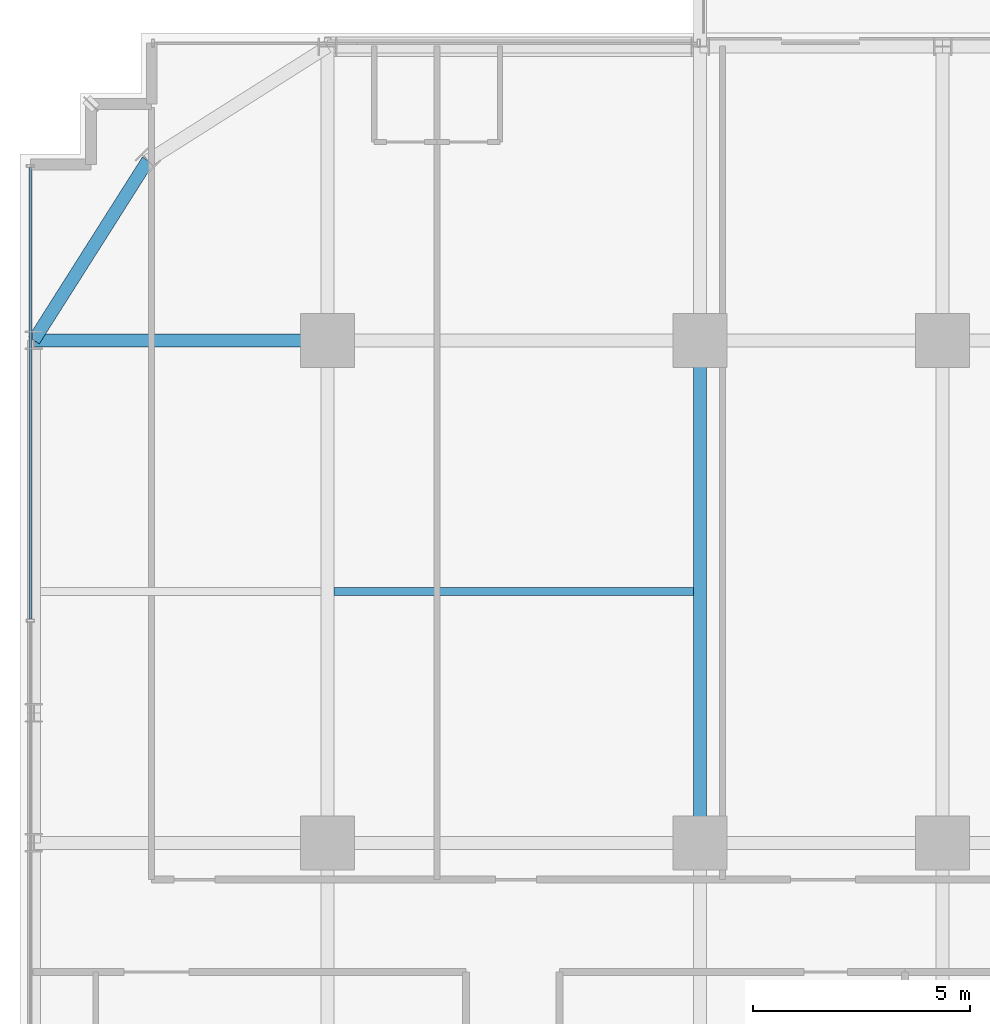
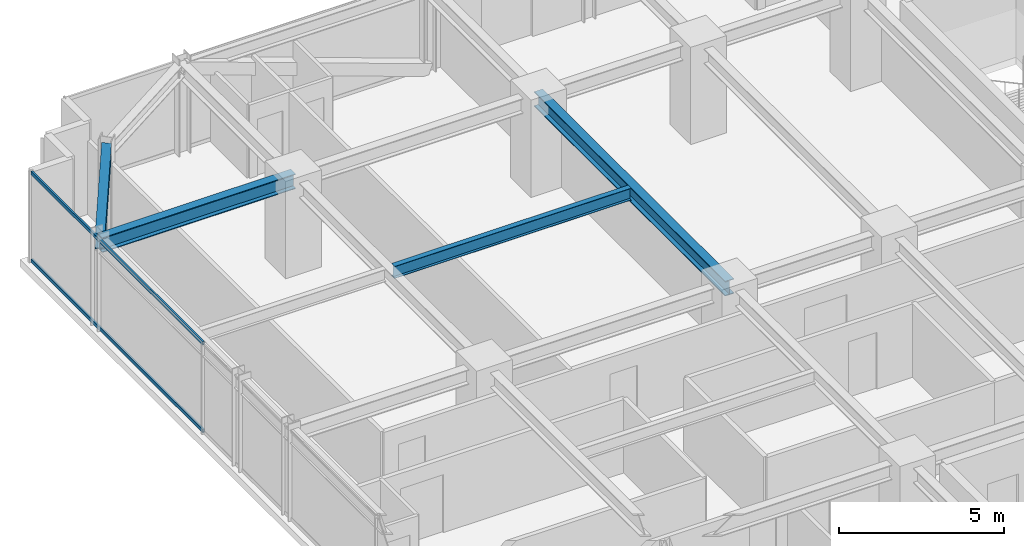
# One storey, part 17 of 41: 4 beams, 2 members, 1 element without a shape of its own.
"""IFC4 building model written with IfcOpenShell, lengths in metres."""

from ifc_helpers import new_model, si_unit, direction, frame, origin, origin_2d, place, context, subcontext, project, spatial, hollow_rectangle, i_section, extrude, source, transform, mapped, material, material_profile, profile_set, type_object, element, aggregate, save


model = new_model("IFC4")

# Units and contexts
model_context = context("Model", 3, precision=1e-05, world=origin(), true_north=direction((0.0, 1.0)))
body_context = subcontext(model_context, "Body", "Model", "MODEL_VIEW")
ifc_project = project(units=[si_unit("LENGTHUNIT", "METRE"), si_unit("AREAUNIT", "SQUARE_METRE"), si_unit("VOLUMEUNIT", "CUBIC_METRE"), si_unit("PLANEANGLEUNIT", "RADIAN"), si_unit("MASSUNIT", "GRAM", prefix="KILO")], contexts=[model_context])

# Site, building, storey
site_placement = place(None, origin())
site = spatial("IfcSite", under=ifc_project, at=site_placement, CompositionType="ELEMENT")
building_placement = place(site_placement, origin())
building = spatial("IfcBuilding", under=site, at=building_placement, Name="Nahalor Promenade Grand Hotel", CompositionType="ELEMENT")
storey_placement = place(building_placement, frame((0.0, 0.0, 113.85009765625)))
storey = spatial("IfcBuildingStorey", under=building, at=storey_placement, Name="L28", CompositionType="ELEMENT", Elevation=113.85009765625)

# Beams
ifc_material_1 = material(Name="Steel S355JR", Category="steel")
ifc_material_profile_1 = material_profile(ifc_material_1, i_section(OverallWidth=0.3, OverallDepth=0.5, WebThickness=0.0145, FlangeThickness=0.028, at=origin_2d()), Name="HEB 500")
ifc_profile_set_1 = profile_set([ifc_material_profile_1], Name="Steel S355JR")
beam_type_1 = type_object("IfcBeamType", Name="Beam-Spandrel-HEB500", PredefinedType="SPANDREL", material=ifc_profile_set_1)
shared_shape_1 = source(origin(), body_context, "Body", "SweptSolid", [
    extrude(i_section(OverallWidth=0.3, OverallDepth=0.5, WebThickness=0.0145, FlangeThickness=0.028, at=origin_2d()), origin(), (0.0, 0.0, 1.0), 4.9130859375),
])
beam_1_placement = place(storey_placement, frame((-21.14990234375, 21.14990234375, 3.1298828125), z_axis=(-0.535321591403, -0.844648325505, 0.0), x_axis=(0.844648325505, -0.535321591403, 0.0)))
element("IfcBeam", 1, at=beam_1_placement, inside=storey, type_object=beam_type_1, Name="BM-L28-SPC-NW-2", PredefinedType="SPANDREL", context=body_context, shape_type="MappedRepresentation", body=[
    mapped(shared_shape_1, transform((0.0, 0.0, 0.0), scale=1.0)),
])
ifc_material_profile_2 = material_profile(ifc_material_1, i_section(OverallWidth=0.3, OverallDepth=0.55, WebThickness=0.015, FlangeThickness=0.029, at=origin_2d()), Name="HEB 550")
ifc_profile_set_2 = profile_set([ifc_material_profile_2], Name="Steel S355JR")
beam_type_2 = type_object("IfcBeamType", Name="Beam-Girder-HEB550", PredefinedType="BEAM", material=ifc_profile_set_2)
shared_shape_2 = source(origin(), body_context, "Body", "SweptSolid", [
    extrude(i_section(OverallWidth=0.3, OverallDepth=0.55, WebThickness=0.015, FlangeThickness=0.029, at=origin_2d()), origin(), (0.0, 0.0, 1.0), 6.780029296875),
])
beam_2_placement = place(storey_placement, frame((-23.780029296875, 17.0, 3.10498046875), z_axis=(1.0, 0.0, 0.0), x_axis=(0.0, 1.0, 0.0)))
element("IfcBeam", 2, at=beam_2_placement, inside=storey, type_object=beam_type_2, Name="BM-L28-GX-3-0", PredefinedType="BEAM", context=body_context, shape_type="MappedRepresentation", body=[
    mapped(shared_shape_2, transform((0.0, 0.0, 0.0), scale=1.0)),
])
shared_shape_3 = source(origin(), body_context, "Body", "SweptSolid", [
    extrude(i_section(OverallWidth=0.3, OverallDepth=0.55, WebThickness=0.015, FlangeThickness=0.029, at=origin_2d()), origin(), (0.0, 0.0, 1.0), 11.60009765625),
])
beam_3_placement = place(storey_placement, frame((-8.39990234375, 5.39990234375, 3.10498046875), z_axis=(0.0, 1.0, 0.0), x_axis=(-1.0, 0.0, 0.0)))
element("IfcBeam", 3, at=beam_3_placement, inside=storey, type_object=beam_type_2, Name="BM-L28-GY-1-3", PredefinedType="BEAM", context=body_context, shape_type="MappedRepresentation", body=[
    mapped(shared_shape_3, transform((0.0, 0.0, 0.0), scale=1.0)),
])
ifc_material_profile_3 = material_profile(ifc_material_1, i_section(OverallWidth=0.19, OverallDepth=0.45, WebThickness=0.0094, FlangeThickness=0.0146, at=origin_2d()), Name="IPE 450")
ifc_profile_set_3 = profile_set([ifc_material_profile_3], Name="Steel S355JR")
beam_type_3 = type_object("IfcBeamType", Name="Beam-Joist-IPE450", PredefinedType="JOIST", material=ifc_profile_set_3)
shared_shape_4 = source(origin(), body_context, "Body", "SweptSolid", [
    extrude(i_section(OverallWidth=0.19, OverallDepth=0.45, WebThickness=0.0094, FlangeThickness=0.0146, at=origin_2d()), origin(), (0.0, 0.0, 1.0), 8.300048828125),
])
beam_4_placement = place(storey_placement, frame((-16.85009765625, 11.199951171875, 3.15478515625), z_axis=(1.0, 0.0, 0.0), x_axis=(0.0, 1.0, 0.0)))
element("IfcBeam", 4, at=beam_4_placement, inside=storey, type_object=beam_type_3, Name="BM-L28-JSW-1-1", PredefinedType="JOIST", context=body_context, shape_type="MappedRepresentation", body=[
    mapped(shared_shape_4, transform((0.0, 0.0, 0.0), scale=1.0)),
])

# Curtain wall, members
ifc_material_2 = material(Name="Anodised Bronze Aluminium EN AW-6063 T6", Category="aluminium")
curtain_wall_type = type_object("IfcCurtainWallType", Name="CW2 Typical Hotel Flush Bronze Unitised Curtain Wall", PredefinedType="USERDEFINED", material=ifc_material_2)
curtain_wall_placement = place(storey_placement, origin())
curtain_wall = element("IfcCurtainWall", 5, at=curtain_wall_placement, inside=storey, type_object=curtain_wall_type, Name="L28 Curtain Wall CW-L28-W-1", ObjectType="UNITISED_CURTAIN_WALL", PredefinedType="USERDEFINED")
ifc_material_profile_4 = material_profile(ifc_material_2, hollow_rectangle(XDim=0.065, YDim=0.13, WallThickness=0.004, at=origin_2d()), Name="CWT 65x130x4")
ifc_profile_set_4 = profile_set([ifc_material_profile_4], Name="Anodised Bronze Aluminium EN AW-6063 T6")
member_type = type_object("IfcMemberType", Name="CWT2 Typical Bronze Transom 65x130", PredefinedType="USERDEFINED", material=ifc_profile_set_4)
shared_shape_5 = source(origin(), body_context, "Body", "SweptSolid", [
    extrude(hollow_rectangle(XDim=0.065, YDim=0.13, WallThickness=0.004, at=origin_2d()), origin(), (0.0, 0.0, 1.0), 10.4326171875),
])
member_1_placement = place(storey_placement, frame((-23.860107421875, 10.5625, 0.06494140625), z_axis=(0.0, 1.0, 0.0), x_axis=(-1.0, 0.0, 0.0)))
member_1 = element("IfcMember", 6, at=member_1_placement, type_object=member_type, Name="CW-L28-W-1 Transom 3-0", ObjectType="TRANSOM", PredefinedType="USERDEFINED", context=body_context, shape_type="MappedRepresentation", body=[
    mapped(shared_shape_5, transform((0.0, 0.0, 0.0), scale=1.0)),
])
member_2_placement = place(storey_placement, frame((-23.860107421875, 10.5625, 3.31494140625), z_axis=(0.0, 1.0, 0.0), x_axis=(-1.0, 0.0, 0.0)))
member_2 = element("IfcMember", 7, at=member_2_placement, type_object=member_type, Name="CW-L28-W-1 Transom 3-1", ObjectType="TRANSOM", PredefinedType="USERDEFINED", context=body_context, shape_type="MappedRepresentation", body=[
    mapped(shared_shape_5, transform((0.0, 0.0, 0.0), scale=1.0)),
])
aggregate(curtain_wall, [member_1, member_2])

save(model, "model.ifc")
